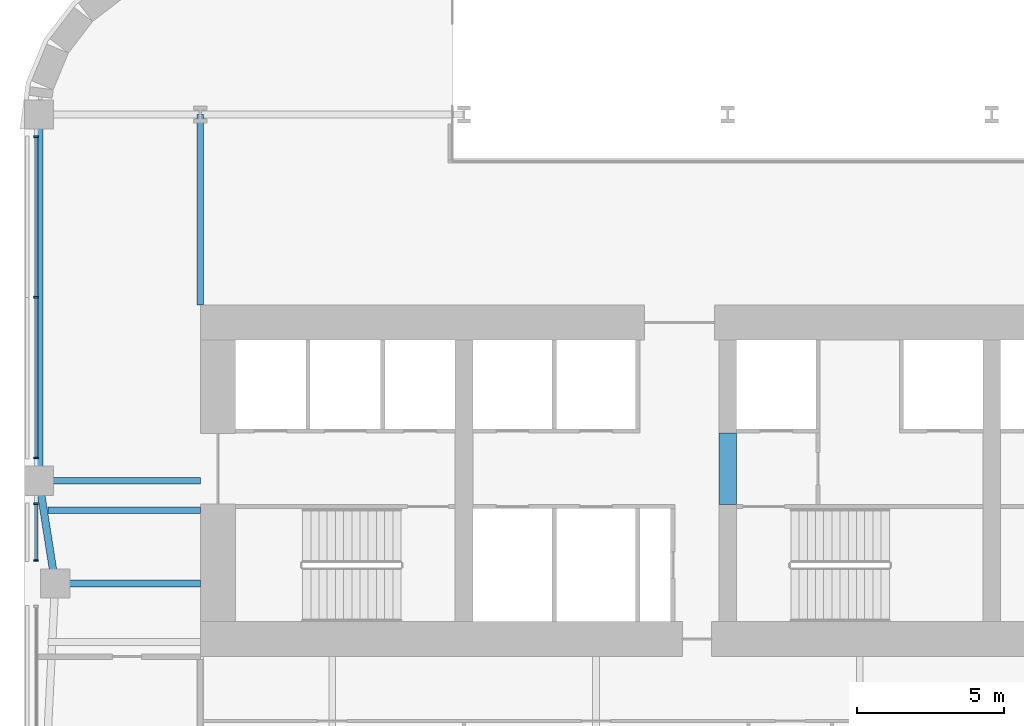
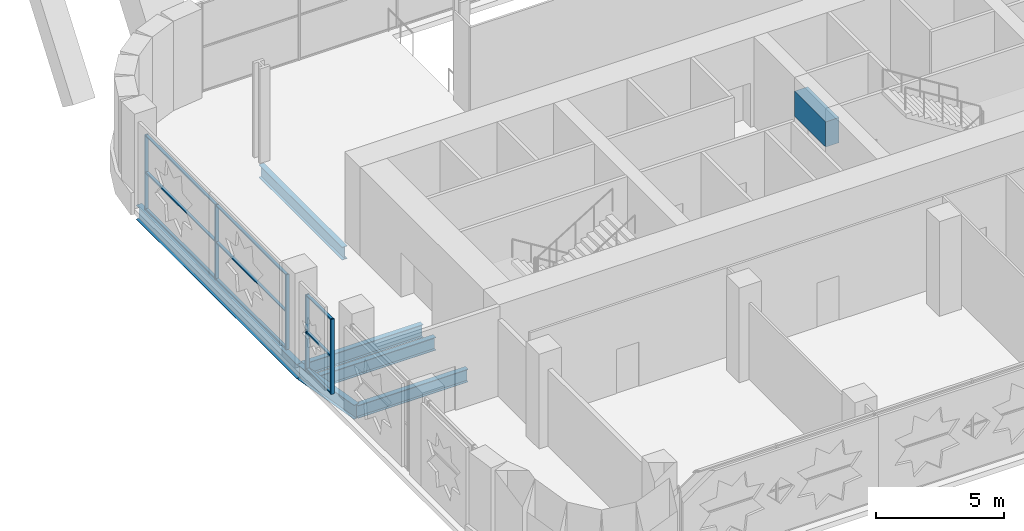
# One storey, part 4 of 21: 14 members, 7 beams, 2 elements without a shape of their own.
"""IFC4 building model written with IfcOpenShell, lengths in metres."""

from ifc_helpers import new_model, si_unit, direction, frame, origin, origin_2d, place, context, subcontext, project, spatial, rectangle, i_section, extrude, material, material_profile, profile_set, type_object, element, aggregate, save


model = new_model("IFC4")

# Units and contexts
model_context = context("Model", 3, precision=1e-05, world=origin(), true_north=direction((0.0, 1.0)))
body_context = subcontext(model_context, "Body", "Model", "MODEL_VIEW")
ifc_project = project(units=[si_unit("LENGTHUNIT", "METRE"), si_unit("AREAUNIT", "SQUARE_METRE"), si_unit("VOLUMEUNIT", "CUBIC_METRE"), si_unit("PLANEANGLEUNIT", "RADIAN"), si_unit("MASSUNIT", "GRAM", prefix="KILO")], contexts=[model_context])

# Site, building, storey
site_placement = place(None, origin())
site = spatial("IfcSite", under=ifc_project, at=site_placement, CompositionType="ELEMENT")
building_placement = place(site_placement, origin())
building = spatial("IfcBuilding", under=site, at=building_placement, Name="Zellij Exchange Tower", CompositionType="ELEMENT")
storey_placement = place(building_placement, frame((0.0, 0.0, 43.5)))
storey = spatial("IfcBuildingStorey", under=building, at=storey_placement, Name="L07", CompositionType="ELEMENT", Elevation=43.5)

# Beam
ifc_material_1 = material(Name="Concrete C70/85", Category="concrete")
ifc_material_profile_1 = material_profile(ifc_material_1, rectangle(XDim=0.60009765625, YDim=1.199951171875, at=origin_2d()), Name="CORE-CB 600x1200 C70/85")
ifc_profile_set_1 = profile_set([ifc_material_profile_1], Name="Concrete C70/85")
beam_type_1 = type_object("IfcBeamType", Name="CORE-CB 600x1200 C70/85", PredefinedType="BEAM", material=ifc_profile_set_1)
beam_1_placement = place(storey_placement, frame((-9.0, -8.800048828125, 3.0), z_axis=(0.0, 1.0, 0.0), x_axis=(-1.0, 0.0, 0.0)))
element("IfcBeam", 1, at=beam_1_placement, inside=storey, type_object=beam_type_1, Name="Core coupling beam x -9 L07", PredefinedType="BEAM", context=body_context, shape_type="SweptSolid", body=[
    extrude(rectangle(XDim=0.60009765625, YDim=1.199951171875, at=origin_2d()), origin(), (0.0, 0.0, 1.0), 2.425048828125),
])

# Curtain wall, members
ifc_material_2 = material(Name="Aluminium frame, clear insulating glass", Category="aluminium")
curtain_wall_type = type_object("IfcCurtainWallType", Name="ENV-CW1 Sky-garden glazing", PredefinedType="NOTDEFINED", material=ifc_material_2)
curtain_wall_1_placement = place(storey_placement, origin())
curtain_wall_1 = element("IfcCurtainWall", 2, at=curtain_wall_1_placement, inside=storey, type_object=curtain_wall_type, Name="cw.L07.21a", PredefinedType="NOTDEFINED")
ifc_material_3 = material(Name="Aluminium", Category="aluminium")
ifc_material_profile_2 = material_profile(ifc_material_3, rectangle(XDim=0.06005859375, YDim=0.159912109375, at=origin_2d()), Name="AL 60x160")
ifc_profile_set_2 = profile_set([ifc_material_profile_2], Name="Aluminium")
member_type_1 = type_object("IfcMemberType", Name="ENV-CW1M Mullion 60x160", PredefinedType="MULLION", material=ifc_profile_set_2)
member_1_placement = place(storey_placement, frame((-32.60009765625, 3.743896484375, 0.0), z_axis=(0.0, 0.0, 1.0), x_axis=(0.0, -1.0, 0.0)))
member_1 = element("IfcMember", 3, at=member_1_placement, type_object=member_type_1, Name="CW1 mullion 1", PredefinedType="MULLION", context=body_context, shape_type="SweptSolid", body=[
    extrude(rectangle(XDim=0.06005859375, YDim=0.159912109375, at=origin_2d()), origin(), (0.0, 0.0, 1.0), 3.561767578125),
])
member_2_placement = place(storey_placement, frame((-32.60009765625, -1.738037109375, 0.0), z_axis=(0.0, 0.0, 1.0), x_axis=(0.0, -1.0, 0.0)))
member_2 = element("IfcMember", 4, at=member_2_placement, type_object=member_type_1, Name="CW1 mullion 2", PredefinedType="MULLION", context=body_context, shape_type="SweptSolid", body=[
    extrude(rectangle(XDim=0.06005859375, YDim=0.159912109375, at=origin_2d()), origin(), (0.0, 0.0, 1.0), 3.561767578125),
])
member_3_placement = place(storey_placement, frame((-32.60009765625, -7.219970703125, 0.0), z_axis=(0.0, 0.0, 1.0), x_axis=(0.0, -1.0, 0.0)))
member_3 = element("IfcMember", 5, at=member_3_placement, type_object=member_type_1, Name="CW1 mullion 3", PredefinedType="MULLION", context=body_context, shape_type="SweptSolid", body=[
    extrude(rectangle(XDim=0.06005859375, YDim=0.159912109375, at=origin_2d()), origin(), (0.0, 0.0, 1.0), 3.561767578125),
])

curtain_wall_2_placement = place(storey_placement, origin())
curtain_wall_2 = element("IfcCurtainWall", 6, at=curtain_wall_2_placement, inside=storey, type_object=curtain_wall_type, Name="cw.L07.21b", PredefinedType="NOTDEFINED")
member_4_placement = place(storey_placement, frame((-32.60009765625, -8.780029296875, 0.0), z_axis=(0.0, 0.0, 1.0), x_axis=(0.0, -1.0, 0.0)))
member_4 = element("IfcMember", 7, at=member_4_placement, type_object=member_type_1, Name="CW1 mullion 1", PredefinedType="MULLION", context=body_context, shape_type="SweptSolid", body=[
    extrude(rectangle(XDim=0.06005859375, YDim=0.159912109375, at=origin_2d()), origin(), (0.0, 0.0, 1.0), 3.561767578125),
])
member_5_placement = place(storey_placement, frame((-32.60009765625, -10.719970703125, 0.0), z_axis=(0.0, 0.0, 1.0), x_axis=(0.0, -1.0, 0.0)))
member_5 = element("IfcMember", 8, at=member_5_placement, type_object=member_type_1, Name="CW1 mullion 2", PredefinedType="MULLION", context=body_context, shape_type="SweptSolid", body=[
    extrude(rectangle(XDim=0.06005859375, YDim=0.159912109375, at=origin_2d()), origin(), (0.0, 0.0, 1.0), 3.561767578125),
])

# Member
ifc_material_profile_3 = material_profile(ifc_material_3, rectangle(XDim=0.1201171875, YDim=0.06005859375, at=origin_2d()), Name="AL 120x60")
ifc_profile_set_3 = profile_set([ifc_material_profile_3], Name="Aluminium")
member_type_2 = type_object("IfcMemberType", Name="ENV-CW1T Transom 120x60", PredefinedType="USERDEFINED", material=ifc_profile_set_3)
member_6_placement = place(storey_placement, frame((-32.60009765625, 3.7138671875, 0.030029296875), z_axis=(0.0, -1.0, 0.0), x_axis=(1.0, 0.0, 0.0)))
member_6 = element("IfcMember", 9, at=member_6_placement, type_object=member_type_2, Name="CW1 transom 1.1", ObjectType="TRANSOM", PredefinedType="USERDEFINED", context=body_context, shape_type="SweptSolid", body=[
    extrude(rectangle(XDim=0.1201171875, YDim=0.06005859375, at=origin_2d()), origin(), (0.0, 0.0, 1.0), 5.421875),
])

member_7_placement = place(storey_placement, frame((-32.60009765625, 3.7138671875, 1.781005859375), z_axis=(0.0, -1.0, 0.0), x_axis=(1.0, 0.0, 0.0)))
member_7 = element("IfcMember", 10, at=member_7_placement, type_object=member_type_2, Name="CW1 transom 1.2", ObjectType="TRANSOM", PredefinedType="USERDEFINED", context=body_context, shape_type="SweptSolid", body=[
    extrude(rectangle(XDim=0.1201171875, YDim=0.06005859375, at=origin_2d()), origin(), (0.0, 0.0, 1.0), 5.421875),
])

member_8_placement = place(storey_placement, frame((-32.60009765625, 3.7138671875, 3.53173828125), z_axis=(0.0, -1.0, 0.0), x_axis=(1.0, 0.0, 0.0)))
member_8 = element("IfcMember", 11, at=member_8_placement, type_object=member_type_2, Name="CW1 transom 1.3", ObjectType="TRANSOM", PredefinedType="USERDEFINED", context=body_context, shape_type="SweptSolid", body=[
    extrude(rectangle(XDim=0.1201171875, YDim=0.06005859375, at=origin_2d()), origin(), (0.0, 0.0, 1.0), 5.421875),
])

member_9_placement = place(storey_placement, frame((-32.60009765625, -1.76806640625, 0.030029296875), z_axis=(0.0, -1.0, 0.0), x_axis=(1.0, 0.0, 0.0)))
member_9 = element("IfcMember", 12, at=member_9_placement, type_object=member_type_2, Name="CW1 transom 2.1", ObjectType="TRANSOM", PredefinedType="USERDEFINED", context=body_context, shape_type="SweptSolid", body=[
    extrude(rectangle(XDim=0.1201171875, YDim=0.06005859375, at=origin_2d()), origin(), (0.0, 0.0, 1.0), 5.421875),
])

member_10_placement = place(storey_placement, frame((-32.60009765625, -1.76806640625, 1.781005859375), z_axis=(0.0, -1.0, 0.0), x_axis=(1.0, 0.0, 0.0)))
member_10 = element("IfcMember", 13, at=member_10_placement, type_object=member_type_2, Name="CW1 transom 2.2", ObjectType="TRANSOM", PredefinedType="USERDEFINED", context=body_context, shape_type="SweptSolid", body=[
    extrude(rectangle(XDim=0.1201171875, YDim=0.06005859375, at=origin_2d()), origin(), (0.0, 0.0, 1.0), 5.421875),
])

member_11_placement = place(storey_placement, frame((-32.60009765625, -1.76806640625, 3.53173828125), z_axis=(0.0, -1.0, 0.0), x_axis=(1.0, 0.0, 0.0)))
member_11 = element("IfcMember", 14, at=member_11_placement, type_object=member_type_2, Name="CW1 transom 2.3", ObjectType="TRANSOM", PredefinedType="USERDEFINED", context=body_context, shape_type="SweptSolid", body=[
    extrude(rectangle(XDim=0.1201171875, YDim=0.06005859375, at=origin_2d()), origin(), (0.0, 0.0, 1.0), 5.421875),
])

aggregate(curtain_wall_1, [member_1, member_2, member_3, member_6, member_7, member_8, member_9, member_10, member_11])

member_12_placement = place(storey_placement, frame((-32.60009765625, -8.81005859375, 0.030029296875), z_axis=(0.0, -1.0, 0.0), x_axis=(1.0, 0.0, 0.0)))
member_12 = element("IfcMember", 15, at=member_12_placement, type_object=member_type_2, Name="CW1 transom 1.1", ObjectType="TRANSOM", PredefinedType="USERDEFINED", context=body_context, shape_type="SweptSolid", body=[
    extrude(rectangle(XDim=0.1201171875, YDim=0.06005859375, at=origin_2d()), origin(), (0.0, 0.0, 1.0), 1.8798828125),
])

member_13_placement = place(storey_placement, frame((-32.60009765625, -8.81005859375, 1.781005859375), z_axis=(0.0, -1.0, 0.0), x_axis=(1.0, 0.0, 0.0)))
member_13 = element("IfcMember", 16, at=member_13_placement, type_object=member_type_2, Name="CW1 transom 1.2", ObjectType="TRANSOM", PredefinedType="USERDEFINED", context=body_context, shape_type="SweptSolid", body=[
    extrude(rectangle(XDim=0.1201171875, YDim=0.06005859375, at=origin_2d()), origin(), (0.0, 0.0, 1.0), 1.8798828125),
])

member_14_placement = place(storey_placement, frame((-32.60009765625, -8.81005859375, 3.53173828125), z_axis=(0.0, -1.0, 0.0), x_axis=(1.0, 0.0, 0.0)))
member_14 = element("IfcMember", 17, at=member_14_placement, type_object=member_type_2, Name="CW1 transom 1.3", ObjectType="TRANSOM", PredefinedType="USERDEFINED", context=body_context, shape_type="SweptSolid", body=[
    extrude(rectangle(XDim=0.1201171875, YDim=0.06005859375, at=origin_2d()), origin(), (0.0, 0.0, 1.0), 1.8798828125),
])

aggregate(curtain_wall_2, [member_4, member_5, member_12, member_13, member_14])

# Beams
ifc_material_4 = material(Name="Structural steel ASTM A992 Gr 50", Category="steel")
ifc_material_profile_4 = material_profile(ifc_material_4, i_section(OverallWidth=0.22900390625, OverallDepth=0.612060546875, WebThickness=0.011962890625, FlangeThickness=0.01953125, at=origin_2d()), Name="W24x84")
ifc_profile_set_4 = profile_set([ifc_material_profile_4], Name="Structural steel ASTM A992 Gr 50")
beam_type_2 = type_object("IfcBeamType", Name="STR-BEAM W24x84", PredefinedType="BEAM", material=ifc_profile_set_4)
beam_2_placement = place(storey_placement, frame((-32.199951171875, -9.0, -0.55615234375), z_axis=(1.0, 0.0, 0.0), x_axis=(0.0, 1.0, 0.0)))
element("IfcBeam", 18, at=beam_2_placement, inside=storey, type_object=beam_type_2, Name="B6", PredefinedType="BEAM", context=body_context, shape_type="SweptSolid", body=[
    extrude(i_section(OverallWidth=0.22900390625, OverallDepth=0.612060546875, WebThickness=0.011962890625, FlangeThickness=0.01953125, at=origin_2d()), origin(), (0.0, 0.0, 1.0), 5.199951171875),
])
ifc_material_profile_5 = material_profile(ifc_material_4, i_section(OverallWidth=0.25390625, OverallDepth=0.67822265625, WebThickness=0.01171875, FlangeThickness=0.016357421875, at=origin_2d()), Name="W27x84")
ifc_profile_set_5 = profile_set([ifc_material_profile_5], Name="Structural steel ASTM A992 Gr 50")
beam_type_3 = type_object("IfcBeamType", Name="STR-EDGE GIRDER W27x84", PredefinedType="BEAM", material=ifc_profile_set_5)
beam_3_placement = place(storey_placement, frame((-31.949951171875, -11.5, -0.589111328125), z_axis=(-0.155251283593, 0.987875011802, 0.0), x_axis=(-0.987875011802, -0.155251283593, 0.0)))
element("IfcBeam", 19, at=beam_3_placement, inside=storey, type_object=beam_type_3, Name="EB7", PredefinedType="BEAM", context=body_context, shape_type="SweptSolid", body=[
    extrude(i_section(OverallWidth=0.25390625, OverallDepth=0.67822265625, WebThickness=0.01171875, FlangeThickness=0.016357421875, at=origin_2d()), origin(), (0.0, 0.0, 1.0), 3.54296875),
])
beam_4_placement = place(storey_placement, frame((-32.5, -8.0, -0.589111328125), z_axis=(0.0, 1.0, 0.0), x_axis=(-1.0, 0.0, 0.0)))
element("IfcBeam", 20, at=beam_4_placement, inside=storey, type_object=beam_type_3, Name="EB7", PredefinedType="BEAM", context=body_context, shape_type="SweptSolid", body=[
    extrude(i_section(OverallWidth=0.25390625, OverallDepth=0.67822265625, WebThickness=0.01171875, FlangeThickness=0.016357421875, at=origin_2d()), origin(), (0.0, 0.0, 1.0), 12.5),
])
ifc_material_profile_6 = material_profile(ifc_material_4, i_section(OverallWidth=0.22900390625, OverallDepth=0.612060546875, WebThickness=0.011962890625, FlangeThickness=0.01953125, at=origin_2d()), Name="W24x84")
ifc_profile_set_6 = profile_set([ifc_material_profile_6], Name="Structural steel ASTM A992 Gr 50")
beam_type_4 = type_object("IfcBeamType", Name="STR-GIRDER W24x84", PredefinedType="BEAM", material=ifc_profile_set_6)
beam_5_placement = place(storey_placement, frame((-31.949951171875, -11.5, -0.55615234375), z_axis=(1.0, 0.0, 0.0), x_axis=(0.0, 1.0, 0.0)))
element("IfcBeam", 21, at=beam_5_placement, inside=storey, type_object=beam_type_4, Name="G4", PredefinedType="BEAM", context=body_context, shape_type="SweptSolid", body=[
    extrude(i_section(OverallWidth=0.22900390625, OverallDepth=0.612060546875, WebThickness=0.011962890625, FlangeThickness=0.01953125, at=origin_2d()), origin(), (0.0, 0.0, 1.0), 4.949951171875),
])
beam_6_placement = place(storey_placement, frame((-32.5, -8.0, -0.55615234375), z_axis=(1.0, 0.0, 0.0), x_axis=(0.0, 1.0, 0.0)))
element("IfcBeam", 22, at=beam_6_placement, inside=storey, type_object=beam_type_4, Name="G4", PredefinedType="BEAM", context=body_context, shape_type="SweptSolid", body=[
    extrude(i_section(OverallWidth=0.22900390625, OverallDepth=0.612060546875, WebThickness=0.011962890625, FlangeThickness=0.01953125, at=origin_2d()), origin(), (0.0, 0.0, 1.0), 5.5),
])
beam_7_placement = place(storey_placement, frame((-27.0, -2.0, -0.55615234375), z_axis=(0.0, 1.0, 0.0), x_axis=(-1.0, 0.0, 0.0)))
element("IfcBeam", 23, at=beam_7_placement, inside=storey, type_object=beam_type_4, Name="G4", PredefinedType="BEAM", context=body_context, shape_type="SweptSolid", body=[
    extrude(i_section(OverallWidth=0.22900390625, OverallDepth=0.612060546875, WebThickness=0.011962890625, FlangeThickness=0.01953125, at=origin_2d()), origin(), (0.0, 0.0, 1.0), 6.5),
])

save(model, "model.ifc")
